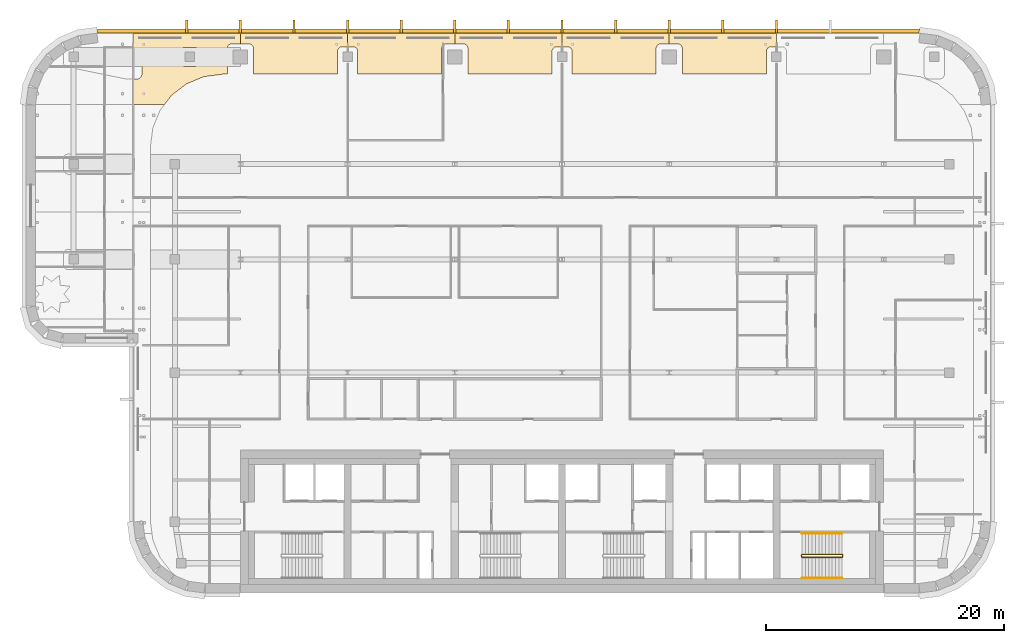
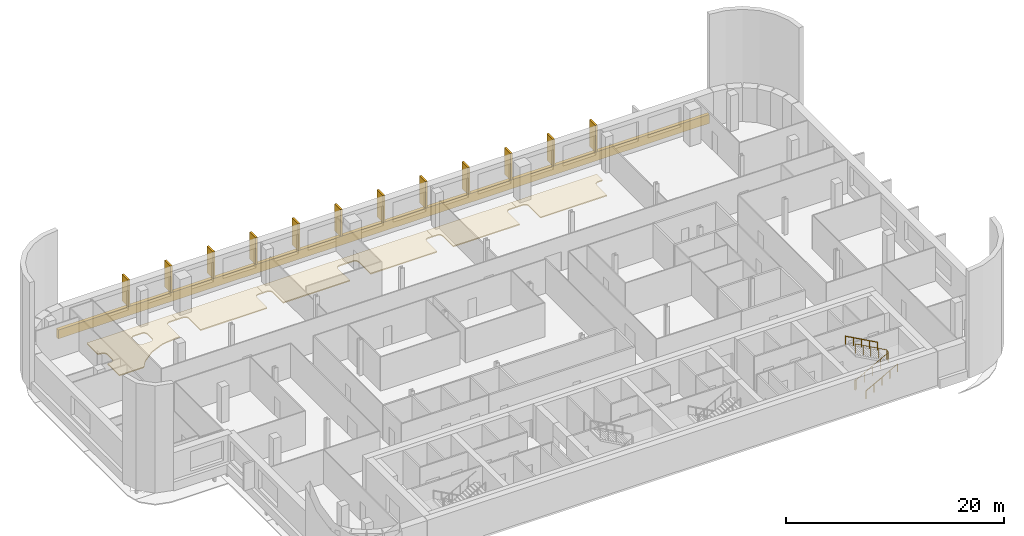
# One storey, part 17 of 19: 19 coverings, 3 railings.
"""IFC4 building model written with IfcOpenShell, lengths in metres."""

from ifc_helpers import new_model, si_unit, direction, frame, origin, origin_2d, place, context, subcontext, project, spatial, polyline, circle, outline, extrude, material, layer, layer_set, type_object, element, save


model = new_model("IFC4")

# Units and contexts
model_context = context("Model", 3, precision=1e-05, world=origin(), true_north=direction((0.0, 1.0)))
body_context = subcontext(model_context, "Body", "Model", "MODEL_VIEW")
ifc_project = project(units=[si_unit("LENGTHUNIT", "METRE"), si_unit("AREAUNIT", "SQUARE_METRE"), si_unit("VOLUMEUNIT", "CUBIC_METRE"), si_unit("PLANEANGLEUNIT", "RADIAN"), si_unit("MASSUNIT", "GRAM", prefix="KILO")], contexts=[model_context])

# Site, building, storey
site_placement = place(None, origin())
site = spatial("IfcSite", under=ifc_project, at=site_placement, CompositionType="ELEMENT")
building_placement = place(site_placement, origin())
building = spatial("IfcBuilding", under=site, at=building_placement, Name="Zellij Exchange Tower", CompositionType="ELEMENT")
storey_placement = place(building_placement, frame((0.0, 0.0, 220.5)))
storey = spatial("IfcBuildingStorey", under=building, at=storey_placement, Name="L51", CompositionType="ELEMENT", Elevation=220.5)

# Railings
ifc_material_1 = material(Name="Stainless steel", Category="steel")
railing_type_1 = type_object("IfcRailingType", Name="CORE-RG stair guard", PredefinedType="GUARDRAIL", material=ifc_material_1)
railing_1_placement = place(storey_placement, frame((20.10009765625, -10.949951171875, 0.0)))
element("IfcRailing", 1, at=railing_1_placement, inside=storey, type_object=railing_type_1, Name="ST4 stair guard L51", PredefinedType="GUARDRAIL", context=body_context, shape_type="SweptSolid", body=[
    extrude(circle(Radius=0.02392578125, at=origin_2d()), frame((0.0, 0.0, 1.076171875), z_axis=(0.0, 1.0, 0.0), x_axis=(-1.0, 0.0, 0.0)), (0.0, 0.0, 1.0), 0.14990234375),
    extrude(circle(Radius=0.02392578125, at=origin_2d()), frame((0.0, 0.14990234375, 1.076171875), z_axis=(0.193691321961, -0.777613689637, 0.598164376644), x_axis=(0.970351222016, 0.241699205484, 0.0)), (0.0, 0.0, 1.0), 0.257080078125),
    extrude(circle(Radius=0.02392578125, at=origin_2d()), frame((0.0498046875, -0.050048828125, 1.22998046875), z_axis=(0.876421534553, 0.0, 0.481544695509), x_axis=(0.0, 1.0, 0.0)), (0.0, 0.0, 1.0), 3.833984375),
    extrude(circle(Radius=0.02392578125, at=origin_2d()), frame((3.409912109375, -0.050048828125, 3.076171875), z_axis=(0.707106781187, 0.707106781187, 0.0), x_axis=(-0.707106781187, 0.707106781187, 0.0)), (0.0, 0.0, 1.0), 0.07080078125),
    extrude(circle(Radius=0.02392578125, at=origin_2d()), frame((3.4599609375, 0.0, 3.076171875), z_axis=(0.0, 1.0, 0.0), x_axis=(-1.0, 0.0, 0.0)), (0.0, 0.0, 1.0), 0.14990234375),
    extrude(circle(Radius=0.02392578125, at=origin_2d()), frame((3.4599609375, 0.14990234375, 3.076171875), z_axis=(-0.295599637079, 0.295599637079, 0.908428152975), x_axis=(-0.707106781187, -0.707106781187, 0.0)), (0.0, 0.0, 1.0), 0.16943359375),
    extrude(circle(Radius=0.02392578125, at=origin_2d()), frame((3.409912109375, 0.199951171875, 3.22998046875), z_axis=(-0.876421534553, 0.0, 0.481544695509), x_axis=(0.0, -1.0, 0.0)), (0.0, 0.0, 1.0), 3.833984375),
    extrude(circle(Radius=0.02099609375, at=origin_2d()), origin(), (0.0, 0.0, 1.0), 1.052001953125),
    extrude(circle(Radius=0.02099609375, at=origin_2d()), frame((0.0, 0.14990234375, 0.0)), (0.0, 0.0, 1.0), 1.052001953125),
    extrude(circle(Radius=0.02099609375, at=origin_2d()), frame((0.0498046875, -0.050048828125, 0.15380859375)), (0.0, 0.0, 1.0), 1.052001953125),
    extrude(circle(Radius=0.02099609375, at=origin_2d()), frame((0.889892578125, -0.050048828125, 0.615234375)), (0.0, 0.0, 1.0), 1.052001953125),
    extrude(circle(Radius=0.02099609375, at=origin_2d()), frame((1.72998046875, -0.050048828125, 1.076904296875)), (0.0, 0.0, 1.0), 1.052001953125),
    extrude(circle(Radius=0.02099609375, at=origin_2d()), frame((2.56982421875, -0.050048828125, 1.53857421875)), (0.0, 0.0, 1.0), 1.052001953125),
    extrude(circle(Radius=0.02099609375, at=origin_2d()), frame((3.409912109375, -0.050048828125, 2.0)), (0.0, 0.0, 1.0), 1.052001953125),
    extrude(circle(Radius=0.02099609375, at=origin_2d()), frame((3.4599609375, 0.0, 2.0)), (0.0, 0.0, 1.0), 1.052001953125),
    extrude(circle(Radius=0.02099609375, at=origin_2d()), frame((3.4599609375, 0.14990234375, 2.0)), (0.0, 0.0, 1.0), 1.052001953125),
    extrude(circle(Radius=0.02099609375, at=origin_2d()), frame((3.409912109375, 0.199951171875, 2.15380859375)), (0.0, 0.0, 1.0), 1.052001953125),
    extrude(circle(Radius=0.02099609375, at=origin_2d()), frame((2.56982421875, 0.199951171875, 2.615234375)), (0.0, 0.0, 1.0), 1.052001953125),
    extrude(circle(Radius=0.02099609375, at=origin_2d()), frame((1.72998046875, 0.199951171875, 3.076904296875)), (0.0, 0.0, 1.0), 1.052001953125),
    extrude(circle(Radius=0.02099609375, at=origin_2d()), frame((0.889892578125, 0.199951171875, 3.53857421875)), (0.0, 0.0, 1.0), 1.052001953125),
    extrude(circle(Radius=0.02099609375, at=origin_2d()), frame((0.0498046875, 0.199951171875, 4.0)), (0.0, 0.0, 1.0), 1.052001953125),
])
railing_type_2 = type_object("IfcRailingType", Name="CORE-RH stair handrail", PredefinedType="HANDRAIL", material=ifc_material_1)
railing_2_placement = place(storey_placement, frame((20.14990234375, -12.75, 0.15380859375)))
element("IfcRailing", 2, at=railing_2_placement, inside=storey, type_object=railing_type_2, Name="ST4 stair handrail L51", PredefinedType="HANDRAIL", context=body_context, shape_type="SweptSolid", body=[
    extrude(circle(Radius=0.02392578125, at=origin_2d()), frame((0.0, 0.0, 0.8759765625), z_axis=(0.876421534553, 0.0, 0.481544695509), x_axis=(0.0, 1.0, 0.0)), (0.0, 0.0, 1.0), 3.833984375),
    extrude(circle(Radius=0.02099609375, at=origin_2d()), origin(), (0.0, 0.0, 1.0), 0.851806640625),
    extrude(circle(Radius=0.02099609375, at=origin_2d()), frame((0.840087890625, 0.0, 0.46142578125)), (0.0, 0.0, 1.0), 0.851806640625),
    extrude(circle(Radius=0.02099609375, at=origin_2d()), frame((1.68017578125, 0.0, 0.923095703125)), (0.0, 0.0, 1.0), 0.851806640625),
    extrude(circle(Radius=0.02099609375, at=origin_2d()), frame((2.52001953125, 0.0, 1.384765625)), (0.0, 0.0, 1.0), 0.851806640625),
    extrude(circle(Radius=0.02099609375, at=origin_2d()), frame((3.360107421875, 0.0, 1.84619140625)), (0.0, 0.0, 1.0), 0.851806640625),
])
railing_3_placement = place(storey_placement, frame((23.510009765625, -9.0, 2.15380859375)))
element("IfcRailing", 3, at=railing_3_placement, inside=storey, type_object=railing_type_2, Name="ST4 stair handrail L51", PredefinedType="HANDRAIL", context=body_context, shape_type="SweptSolid", body=[
    extrude(circle(Radius=0.02392578125, at=origin_2d()), frame((0.0, 0.0, 0.8759765625), z_axis=(-0.876421534553, 0.0, 0.481544695509), x_axis=(0.0, -1.0, 0.0)), (0.0, 0.0, 1.0), 3.833984375),
    extrude(circle(Radius=0.02099609375, at=origin_2d()), origin(), (0.0, 0.0, 1.0), 0.851806640625),
    extrude(circle(Radius=0.02099609375, at=origin_2d()), frame((-0.840087890625, 0.0, 0.46142578125)), (0.0, 0.0, 1.0), 0.851806640625),
    extrude(circle(Radius=0.02099609375, at=origin_2d()), frame((-1.68017578125, 0.0, 0.923095703125)), (0.0, 0.0, 1.0), 0.851806640625),
    extrude(circle(Radius=0.02099609375, at=origin_2d()), frame((-2.52001953125, 0.0, 1.384765625)), (0.0, 0.0, 1.0), 0.851806640625),
    extrude(circle(Radius=0.02099609375, at=origin_2d()), frame((-3.360107421875, 0.0, 1.84619140625)), (0.0, 0.0, 1.0), 0.851806640625),
])

# Coverings
ifc_material_2 = material(Name="Limestone cladding", Category="masonry")
ifc_layer_1 = layer(ifc_material_2, 0.35009765625)
ifc_layer_set_1 = layer_set([ifc_layer_1], Name="Limestone cladding")
covering_type_1 = type_object("IfcCoveringType", Name="ENV-CV10 Stone spandrel band 350", PredefinedType="CLADDING", material=ifc_layer_set_1)
covering_1_placement = place(storey_placement, frame((0.0, 0.0, -0.199951171875)))
element("IfcCovering", 4, at=covering_1_placement, inside=storey, type_object=covering_type_1, Name="Stone spandrel band", PredefinedType="CLADDING", context=body_context, shape_type="SweptSolid", body=[
    extrude(outline(polyline([(29.973876953125, 33.0), (-38.973876953125, 33.0), (-38.99658203125, 33.35009765625), (29.99658203125, 33.35009765625), (29.973876953125, 33.0)])), origin(), (0.0, 0.0, 1.0), 1.0),
])
covering_type_2 = type_object("IfcCoveringType", Name="ENV-CV6 Stone pier 200x1100", PredefinedType="CLADDING", material=ifc_material_2)
covering_2_placement = place(storey_placement, frame((0.0, 0.0, 0.800048828125)))
element("IfcCovering", 5, at=covering_2_placement, inside=storey, type_object=covering_type_2, Name="Stone pier", PredefinedType="CLADDING", context=body_context, shape_type="SweptSolid", body=[
    extrude(outline(polyline([(18.10009765625, 33.0), (17.89990234375, 33.0), (17.89990234375, 34.10009765625), (18.10009765625, 34.10009765625), (18.10009765625, 33.0)])), origin(), (0.0, 0.0, 1.0), 3.0),
])
covering_3_placement = place(storey_placement, frame((0.0, 0.0, 0.800048828125)))
element("IfcCovering", 6, at=covering_3_placement, inside=storey, type_object=covering_type_2, Name="Stone pier", PredefinedType="CLADDING", context=body_context, shape_type="SweptSolid", body=[
    extrude(outline(polyline([(13.60009765625, 33.0), (13.39990234375, 33.0), (13.39990234375, 34.10009765625), (13.60009765625, 34.10009765625), (13.60009765625, 33.0)])), origin(), (0.0, 0.0, 1.0), 3.0),
])
covering_4_placement = place(storey_placement, frame((0.0, 0.0, 0.800048828125)))
element("IfcCovering", 7, at=covering_4_placement, inside=storey, type_object=covering_type_2, Name="Stone pier", PredefinedType="CLADDING", context=body_context, shape_type="SweptSolid", body=[
    extrude(outline(polyline([(9.10009765625, 33.0), (8.89990234375, 33.0), (8.89990234375, 34.10009765625), (9.10009765625, 34.10009765625), (9.10009765625, 33.0)])), origin(), (0.0, 0.0, 1.0), 3.0),
])
covering_5_placement = place(storey_placement, frame((0.0, 0.0, 0.800048828125)))
element("IfcCovering", 8, at=covering_5_placement, inside=storey, type_object=covering_type_2, Name="Stone pier", PredefinedType="CLADDING", context=body_context, shape_type="SweptSolid", body=[
    extrude(outline(polyline([(4.60009765625, 33.0), (4.39990234375, 33.0), (4.39990234375, 34.10009765625), (4.60009765625, 34.10009765625), (4.60009765625, 33.0)])), origin(), (0.0, 0.0, 1.0), 3.0),
])
covering_6_placement = place(storey_placement, frame((0.0, 0.0, 0.800048828125)))
element("IfcCovering", 9, at=covering_6_placement, inside=storey, type_object=covering_type_2, Name="Stone pier", PredefinedType="CLADDING", context=body_context, shape_type="SweptSolid", body=[
    extrude(outline(polyline([(0.10009765625, 33.0), (-0.10009765625, 33.0), (-0.10009765625, 34.10009765625), (0.10009765625, 34.10009765625), (0.10009765625, 33.0)])), origin(), (0.0, 0.0, 1.0), 3.0),
])
covering_7_placement = place(storey_placement, frame((0.0, 0.0, 0.800048828125)))
element("IfcCovering", 10, at=covering_7_placement, inside=storey, type_object=covering_type_2, Name="Stone pier", PredefinedType="CLADDING", context=body_context, shape_type="SweptSolid", body=[
    extrude(outline(polyline([(-4.39990234375, 33.0), (-4.60009765625, 33.0), (-4.60009765625, 34.10009765625), (-4.39990234375, 34.10009765625), (-4.39990234375, 33.0)])), origin(), (0.0, 0.0, 1.0), 3.0),
])
covering_8_placement = place(storey_placement, frame((0.0, 0.0, 0.800048828125)))
element("IfcCovering", 11, at=covering_8_placement, inside=storey, type_object=covering_type_2, Name="Stone pier", PredefinedType="CLADDING", context=body_context, shape_type="SweptSolid", body=[
    extrude(outline(polyline([(-8.89990234375, 33.0), (-9.10009765625, 33.0), (-9.10009765625, 34.10009765625), (-8.89990234375, 34.10009765625), (-8.89990234375, 33.0)])), origin(), (0.0, 0.0, 1.0), 3.0),
])
covering_9_placement = place(storey_placement, frame((0.0, 0.0, 0.800048828125)))
element("IfcCovering", 12, at=covering_9_placement, inside=storey, type_object=covering_type_2, Name="Stone pier", PredefinedType="CLADDING", context=body_context, shape_type="SweptSolid", body=[
    extrude(outline(polyline([(-13.39990234375, 33.0), (-13.60009765625, 33.0), (-13.60009765625, 34.10009765625), (-13.39990234375, 34.10009765625), (-13.39990234375, 33.0)])), origin(), (0.0, 0.0, 1.0), 3.0),
])
covering_10_placement = place(storey_placement, frame((0.0, 0.0, 0.800048828125)))
element("IfcCovering", 13, at=covering_10_placement, inside=storey, type_object=covering_type_2, Name="Stone pier", PredefinedType="CLADDING", context=body_context, shape_type="SweptSolid", body=[
    extrude(outline(polyline([(-17.89990234375, 33.0), (-18.10009765625, 33.0), (-18.10009765625, 34.10009765625), (-17.89990234375, 34.10009765625), (-17.89990234375, 33.0)])), origin(), (0.0, 0.0, 1.0), 3.0),
])
covering_11_placement = place(storey_placement, frame((0.0, 0.0, 0.800048828125)))
element("IfcCovering", 14, at=covering_11_placement, inside=storey, type_object=covering_type_2, Name="Stone pier", PredefinedType="CLADDING", context=body_context, shape_type="SweptSolid", body=[
    extrude(outline(polyline([(-22.39990234375, 33.0), (-22.60009765625, 33.0), (-22.60009765625, 34.10009765625), (-22.39990234375, 34.10009765625), (-22.39990234375, 33.0)])), origin(), (0.0, 0.0, 1.0), 3.0),
])
covering_12_placement = place(storey_placement, frame((0.0, 0.0, 0.800048828125)))
element("IfcCovering", 15, at=covering_12_placement, inside=storey, type_object=covering_type_2, Name="Stone pier", PredefinedType="CLADDING", context=body_context, shape_type="SweptSolid", body=[
    extrude(outline(polyline([(-26.89990234375, 33.0), (-27.10009765625, 33.0), (-27.10009765625, 34.10009765625), (-26.89990234375, 34.10009765625), (-26.89990234375, 33.0)])), origin(), (0.0, 0.0, 1.0), 3.0),
])
covering_13_placement = place(storey_placement, frame((0.0, 0.0, 0.800048828125)))
element("IfcCovering", 16, at=covering_13_placement, inside=storey, type_object=covering_type_2, Name="Stone pier", PredefinedType="CLADDING", context=body_context, shape_type="SweptSolid", body=[
    extrude(outline(polyline([(-31.39990234375, 33.0), (-31.60009765625, 33.0), (-31.60009765625, 34.10009765625), (-31.39990234375, 34.10009765625), (-31.39990234375, 33.0)])), origin(), (0.0, 0.0, 1.0), 3.0),
])
ifc_material_3 = material(Name="Limestone screen", Category="masonry")
ifc_layer_2 = layer(ifc_material_3, 0.1201171875)
ifc_layer_set_2 = layer_set([ifc_layer_2], Name="Limestone screen")
covering_type_3 = type_object("IfcCoveringType", Name="ENV-SC1 Pierced stone screen 120", PredefinedType="USERDEFINED", material=ifc_layer_set_2)
covering_14_placement = place(storey_placement, frame((0.0, 0.0, -1.77001953125)))
element("IfcCovering", 17, at=covering_14_placement, inside=storey, type_object=covering_type_3, Name="Pierced stone screen", ObjectType="SCREEN", PredefinedType="USERDEFINED", context=body_context, shape_type="SweptSolid", body=[
    extrude(outline(polyline([(-27.0, 32.949951171875), (-27.0, 32.10009765625), (-27.699951171875, 32.10009765625), (-27.7392578125, 32.09814453125), (-27.778076171875, 32.09228515625), (-27.816162109375, 32.082763671875), (-27.85302734375, 32.069580078125), (-27.888671875, 32.052734375), (-27.922119140625, 32.03271484375), (-27.953857421875, 32.00927734375), (-27.98291015625, 31.98291015625), (-28.00927734375, 31.953857421875), (-28.03271484375, 31.922119140625), (-28.052734375, 31.888671875), (-28.069580078125, 31.85302734375), (-28.082763671875, 31.816162109375), (-28.09228515625, 31.778076171875), (-28.09814453125, 31.7392578125), (-28.10009765625, 31.699951171875), (-28.10009765625, 29.550048828125), (-28.5, 29.550048828125), (-28.506591796875, 29.549560546875), (-30.059326171875, 29.34521484375), (-30.063720703125, 29.344482421875), (-30.06787109375, 29.34326171875), (-30.072021484375, 29.341796875), (-31.51904296875, 28.7421875), (-31.523193359375, 28.740478515625), (-31.52685546875, 28.73828125), (-31.530517578125, 28.73583984375), (-32.773193359375, 27.7822265625), (-32.7763671875, 27.779541015625), (-32.779541015625, 27.7763671875), (-32.7822265625, 27.773193359375), (-33.37548828125, 27.0), (-36.0, 27.0), (-36.0, 29.14990234375), (-35.675048828125, 29.14990234375), (-35.6357421875, 29.15185546875), (-35.596923828125, 29.15771484375), (-35.558837890625, 29.167236328125), (-35.52197265625, 29.180419921875), (-35.486328125, 29.197265625), (-35.452880859375, 29.21728515625), (-35.421142578125, 29.24072265625), (-35.39208984375, 29.26708984375), (-35.36572265625, 29.296142578125), (-35.34228515625, 29.327880859375), (-35.322265625, 29.361328125), (-35.305419921875, 29.39697265625), (-35.292236328125, 29.433837890625), (-35.28271484375, 29.471923828125), (-35.27685546875, 29.5107421875), (-35.27490234375, 29.550048828125), (-35.27490234375, 30.449951171875), (-35.27685546875, 30.489013671875), (-35.28271484375, 30.527587890625), (-35.2919921875, 30.565673828125), (-35.30517578125, 30.602294921875), (-35.32177734375, 30.6376953125), (-35.341796875, 30.67138671875), (-35.364990234375, 30.702880859375), (-35.39111328125, 30.73193359375), (-35.420166015625, 30.75830078125), (-35.451416015625, 30.781494140625), (-35.48486328125, 30.802001953125), (-35.52001953125, 30.81884765625), (-35.556884765625, 30.83203125), (-35.594482421875, 30.841796875), (-36.0, 30.925048828125), (-36.0, 32.949951171875), (-27.0, 32.949951171875)]), holes=[polyline([(-31.76611328125, 30.21728515625), (-31.72802734375, 30.207763671875), (-31.689208984375, 30.201904296875), (-31.64990234375, 30.199951171875), (-30.85009765625, 30.199951171875), (-30.810791015625, 30.201904296875), (-30.77197265625, 30.207763671875), (-30.73388671875, 30.21728515625), (-30.697021484375, 30.23046875), (-30.661376953125, 30.247314453125), (-30.627685546875, 30.267333984375), (-30.59619140625, 30.290771484375), (-30.567138671875, 30.317138671875), (-30.540771484375, 30.34619140625), (-30.517333984375, 30.377685546875), (-30.497314453125, 30.411376953125), (-30.48046875, 30.447021484375), (-30.46728515625, 30.48388671875), (-30.457763671875, 30.52197265625), (-30.451904296875, 30.560791015625), (-30.449951171875, 30.60009765625), (-30.449951171875, 31.39990234375), (-30.451904296875, 31.439208984375), (-30.457763671875, 31.47802734375), (-30.46728515625, 31.51611328125), (-30.48046875, 31.552978515625), (-30.497314453125, 31.588623046875), (-30.517333984375, 31.622314453125), (-30.540771484375, 31.65380859375), (-30.567138671875, 31.682861328125), (-30.59619140625, 31.709228515625), (-30.627685546875, 31.732666015625), (-30.661376953125, 31.752685546875), (-30.697021484375, 31.76953125), (-30.73388671875, 31.78271484375), (-30.77197265625, 31.792236328125), (-30.810791015625, 31.798095703125), (-30.85009765625, 31.800048828125), (-31.64990234375, 31.800048828125), (-31.689208984375, 31.798095703125), (-31.72802734375, 31.792236328125), (-31.76611328125, 31.78271484375), (-31.802978515625, 31.76953125), (-31.838623046875, 31.752685546875), (-31.872314453125, 31.732666015625), (-31.90380859375, 31.709228515625), (-31.932861328125, 31.682861328125), (-31.959228515625, 31.65380859375), (-31.982666015625, 31.622314453125), (-32.002685546875, 31.588623046875), (-32.01953125, 31.552978515625), (-32.03271484375, 31.51611328125), (-32.042236328125, 31.47802734375), (-32.048095703125, 31.439208984375), (-32.050048828125, 31.39990234375), (-32.050048828125, 30.60009765625), (-32.048095703125, 30.560791015625), (-32.042236328125, 30.52197265625), (-32.03271484375, 30.48388671875), (-32.01953125, 30.447021484375), (-32.002685546875, 30.411376953125), (-31.982666015625, 30.377685546875), (-31.959228515625, 30.34619140625), (-31.932861328125, 30.317138671875), (-31.90380859375, 30.290771484375), (-31.872314453125, 30.267333984375), (-31.838623046875, 30.247314453125), (-31.802978515625, 30.23046875), (-31.76611328125, 30.21728515625)])]), origin(), (0.0, 0.0, 1.0), 0.1201171875),
])
covering_15_placement = place(storey_placement, frame((0.0, 0.0, -1.77001953125)))
element("IfcCovering", 18, at=covering_15_placement, inside=storey, type_object=covering_type_3, Name="Pierced stone screen", ObjectType="SCREEN", PredefinedType="USERDEFINED", context=body_context, shape_type="SweptSolid", body=[
    extrude(outline(polyline([(-18.0, 32.949951171875), (-18.0, 31.85009765625), (-18.449951171875, 31.85009765625), (-18.4892578125, 31.84814453125), (-18.528076171875, 31.84228515625), (-18.566162109375, 31.832763671875), (-18.60302734375, 31.819580078125), (-18.638671875, 31.802734375), (-18.672119140625, 31.78271484375), (-18.703857421875, 31.75927734375), (-18.73291015625, 31.73291015625), (-18.75927734375, 31.703857421875), (-18.78271484375, 31.672119140625), (-18.802734375, 31.638671875), (-18.819580078125, 31.60302734375), (-18.832763671875, 31.566162109375), (-18.84228515625, 31.528076171875), (-18.84814453125, 31.4892578125), (-18.85009765625, 31.449951171875), (-18.85009765625, 29.550048828125), (-25.89990234375, 29.550048828125), (-25.89990234375, 31.699951171875), (-25.90185546875, 31.7392578125), (-25.90771484375, 31.778076171875), (-25.917236328125, 31.816162109375), (-25.930419921875, 31.85302734375), (-25.947265625, 31.888671875), (-25.96728515625, 31.922119140625), (-25.99072265625, 31.953857421875), (-26.01708984375, 31.98291015625), (-26.046142578125, 32.00927734375), (-26.077880859375, 32.03271484375), (-26.111328125, 32.052734375), (-26.14697265625, 32.069580078125), (-26.183837890625, 32.082763671875), (-26.221923828125, 32.09228515625), (-26.2607421875, 32.09814453125), (-26.300048828125, 32.10009765625), (-27.0, 32.10009765625), (-27.0, 32.949951171875), (-18.0, 32.949951171875)])), origin(), (0.0, 0.0, 1.0), 0.1201171875),
])
covering_16_placement = place(storey_placement, frame((0.0, 0.0, -1.77001953125)))
element("IfcCovering", 19, at=covering_16_placement, inside=storey, type_object=covering_type_3, Name="Pierced stone screen", ObjectType="SCREEN", PredefinedType="USERDEFINED", context=body_context, shape_type="SweptSolid", body=[
    extrude(outline(polyline([(-9.0, 32.949951171875), (-9.0, 32.10009765625), (-9.699951171875, 32.10009765625), (-9.7392578125, 32.09814453125), (-9.778076171875, 32.09228515625), (-9.816162109375, 32.082763671875), (-9.85302734375, 32.069580078125), (-9.888671875, 32.052734375), (-9.922119140625, 32.03271484375), (-9.953857421875, 32.00927734375), (-9.98291015625, 31.98291015625), (-10.00927734375, 31.953857421875), (-10.03271484375, 31.922119140625), (-10.052734375, 31.888671875), (-10.069580078125, 31.85302734375), (-10.082763671875, 31.816162109375), (-10.09228515625, 31.778076171875), (-10.09814453125, 31.7392578125), (-10.10009765625, 31.699951171875), (-10.10009765625, 29.550048828125), (-17.14990234375, 29.550048828125), (-17.14990234375, 31.449951171875), (-17.15185546875, 31.4892578125), (-17.15771484375, 31.528076171875), (-17.167236328125, 31.566162109375), (-17.180419921875, 31.60302734375), (-17.197265625, 31.638671875), (-17.21728515625, 31.672119140625), (-17.24072265625, 31.703857421875), (-17.26708984375, 31.73291015625), (-17.296142578125, 31.75927734375), (-17.327880859375, 31.78271484375), (-17.361328125, 31.802734375), (-17.39697265625, 31.819580078125), (-17.433837890625, 31.832763671875), (-17.471923828125, 31.84228515625), (-17.5107421875, 31.84814453125), (-17.550048828125, 31.85009765625), (-18.0, 31.85009765625), (-18.0, 32.949951171875), (-9.0, 32.949951171875)])), origin(), (0.0, 0.0, 1.0), 0.1201171875),
])
covering_17_placement = place(storey_placement, frame((0.0, 0.0, -1.77001953125)))
element("IfcCovering", 20, at=covering_17_placement, inside=storey, type_object=covering_type_3, Name="Pierced stone screen", ObjectType="SCREEN", PredefinedType="USERDEFINED", context=body_context, shape_type="SweptSolid", body=[
    extrude(outline(polyline([(0.0, 32.949951171875), (0.0, 31.85009765625), (-0.449951171875, 31.85009765625), (-0.4892578125, 31.84814453125), (-0.528076171875, 31.84228515625), (-0.566162109375, 31.832763671875), (-0.60302734375, 31.819580078125), (-0.638671875, 31.802734375), (-0.672119140625, 31.78271484375), (-0.703857421875, 31.75927734375), (-0.73291015625, 31.73291015625), (-0.75927734375, 31.703857421875), (-0.78271484375, 31.672119140625), (-0.802734375, 31.638671875), (-0.819580078125, 31.60302734375), (-0.832763671875, 31.566162109375), (-0.84228515625, 31.528076171875), (-0.84814453125, 31.4892578125), (-0.85009765625, 31.449951171875), (-0.85009765625, 29.550048828125), (-7.89990234375, 29.550048828125), (-7.89990234375, 31.699951171875), (-7.90185546875, 31.7392578125), (-7.90771484375, 31.778076171875), (-7.917236328125, 31.816162109375), (-7.930419921875, 31.85302734375), (-7.947265625, 31.888671875), (-7.96728515625, 31.922119140625), (-7.99072265625, 31.953857421875), (-8.01708984375, 31.98291015625), (-8.046142578125, 32.00927734375), (-8.077880859375, 32.03271484375), (-8.111328125, 32.052734375), (-8.14697265625, 32.069580078125), (-8.183837890625, 32.082763671875), (-8.221923828125, 32.09228515625), (-8.2607421875, 32.09814453125), (-8.300048828125, 32.10009765625), (-9.0, 32.10009765625), (-9.0, 32.949951171875), (0.0, 32.949951171875)])), origin(), (0.0, 0.0, 1.0), 0.1201171875),
])
covering_18_placement = place(storey_placement, frame((0.0, 0.0, -1.77001953125)))
element("IfcCovering", 21, at=covering_18_placement, inside=storey, type_object=covering_type_3, Name="Pierced stone screen", ObjectType="SCREEN", PredefinedType="USERDEFINED", context=body_context, shape_type="SweptSolid", body=[
    extrude(outline(polyline([(9.0, 32.949951171875), (9.0, 32.10009765625), (8.300048828125, 32.10009765625), (8.2607421875, 32.09814453125), (8.221923828125, 32.09228515625), (8.183837890625, 32.082763671875), (8.14697265625, 32.069580078125), (8.111328125, 32.052734375), (8.077880859375, 32.03271484375), (8.046142578125, 32.00927734375), (8.01708984375, 31.98291015625), (7.99072265625, 31.953857421875), (7.96728515625, 31.922119140625), (7.947265625, 31.888671875), (7.930419921875, 31.85302734375), (7.917236328125, 31.816162109375), (7.90771484375, 31.778076171875), (7.90185546875, 31.7392578125), (7.89990234375, 31.699951171875), (7.89990234375, 29.550048828125), (0.85009765625, 29.550048828125), (0.85009765625, 31.449951171875), (0.84814453125, 31.4892578125), (0.84228515625, 31.528076171875), (0.832763671875, 31.566162109375), (0.819580078125, 31.60302734375), (0.802734375, 31.638671875), (0.78271484375, 31.672119140625), (0.75927734375, 31.703857421875), (0.73291015625, 31.73291015625), (0.703857421875, 31.75927734375), (0.672119140625, 31.78271484375), (0.638671875, 31.802734375), (0.60302734375, 31.819580078125), (0.566162109375, 31.832763671875), (0.528076171875, 31.84228515625), (0.4892578125, 31.84814453125), (0.449951171875, 31.85009765625), (0.0, 31.85009765625), (0.0, 32.949951171875), (9.0, 32.949951171875)])), origin(), (0.0, 0.0, 1.0), 0.1201171875),
])
covering_19_placement = place(storey_placement, frame((0.0, 0.0, -1.77001953125)))
element("IfcCovering", 22, at=covering_19_placement, inside=storey, type_object=covering_type_3, Name="Pierced stone screen", ObjectType="SCREEN", PredefinedType="USERDEFINED", context=body_context, shape_type="SweptSolid", body=[
    extrude(outline(polyline([(18.0, 32.949951171875), (18.0, 31.85009765625), (17.550048828125, 31.85009765625), (17.5107421875, 31.84814453125), (17.471923828125, 31.84228515625), (17.433837890625, 31.832763671875), (17.39697265625, 31.819580078125), (17.361328125, 31.802734375), (17.327880859375, 31.78271484375), (17.296142578125, 31.75927734375), (17.26708984375, 31.73291015625), (17.24072265625, 31.703857421875), (17.21728515625, 31.672119140625), (17.197265625, 31.638671875), (17.180419921875, 31.60302734375), (17.167236328125, 31.566162109375), (17.15771484375, 31.528076171875), (17.15185546875, 31.4892578125), (17.14990234375, 31.449951171875), (17.14990234375, 29.550048828125), (10.10009765625, 29.550048828125), (10.10009765625, 31.699951171875), (10.09814453125, 31.7392578125), (10.09228515625, 31.778076171875), (10.082763671875, 31.816162109375), (10.069580078125, 31.85302734375), (10.052734375, 31.888671875), (10.03271484375, 31.922119140625), (10.00927734375, 31.953857421875), (9.98291015625, 31.98291015625), (9.953857421875, 32.00927734375), (9.922119140625, 32.03271484375), (9.888671875, 32.052734375), (9.85302734375, 32.069580078125), (9.816162109375, 32.082763671875), (9.778076171875, 32.09228515625), (9.7392578125, 32.09814453125), (9.699951171875, 32.10009765625), (9.0, 32.10009765625), (9.0, 32.949951171875), (18.0, 32.949951171875)])), origin(), (0.0, 0.0, 1.0), 0.1201171875),
])

save(model, "model.ifc")
